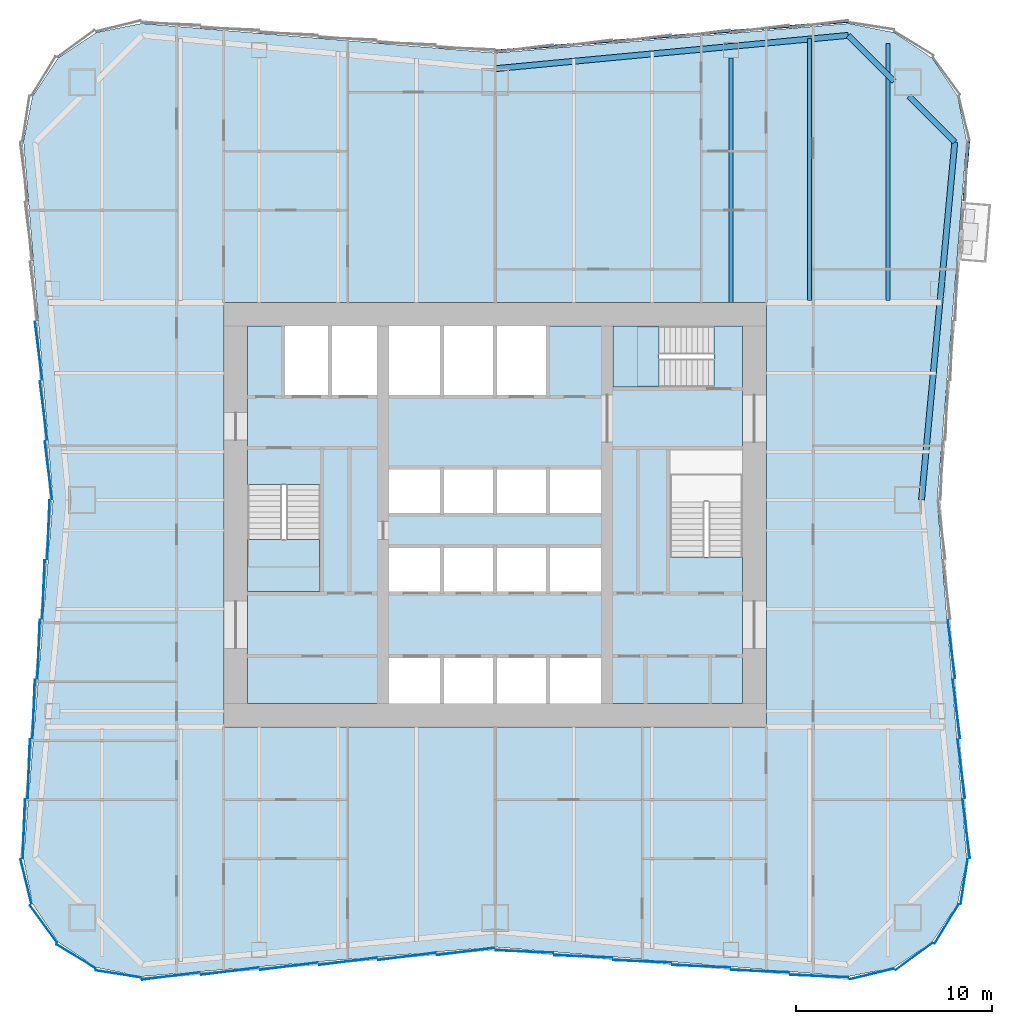
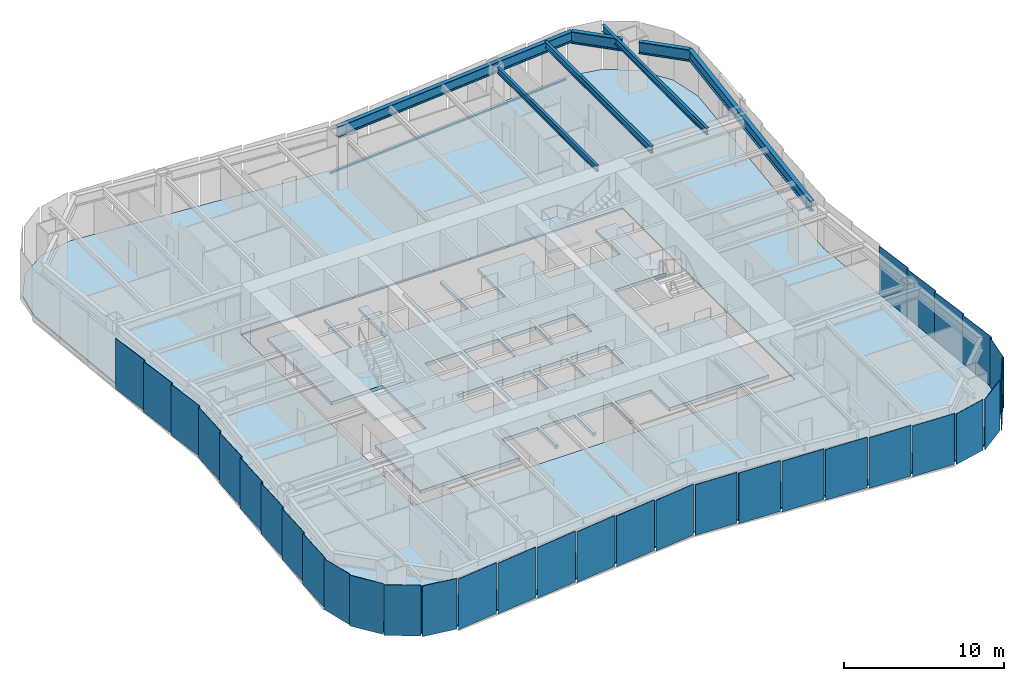
# One storey, part 2 of 9: 33 plates, 7 beams, 4 slabs, 2 members, 8 elements without a shape of their own.
"""IFC4 building model written with IfcOpenShell, lengths in metres."""

from ifc_helpers import new_model, si_unit, direction, frame, origin, origin_2d, place, context, subcontext, project, spatial, polyline, rectangle, i_section, outline, extrude, material, layer, layer_set, material_profile, profile_set, type_object, element, aggregate, save


model = new_model("IFC4")

# Units and contexts
model_context = context("Model", 3, precision=1e-05, world=origin(), true_north=direction((0.0, 1.0)))
body_context = subcontext(model_context, "Body", "Model", "MODEL_VIEW")
ifc_project = project(units=[si_unit("LENGTHUNIT", "METRE"), si_unit("AREAUNIT", "SQUARE_METRE"), si_unit("VOLUMEUNIT", "CUBIC_METRE"), si_unit("PLANEANGLEUNIT", "RADIAN"), si_unit("MASSUNIT", "GRAM", prefix="KILO")], contexts=[model_context])

# Site, building, storey
site_placement = place(None, origin())
site = spatial("IfcSite", under=ifc_project, at=site_placement, CompositionType="ELEMENT")
building_placement = place(site_placement, origin())
building = spatial("IfcBuilding", under=site, at=building_placement, Name="Verdant Reach Tower", CompositionType="ELEMENT")
storey_placement = place(building_placement, frame((0.0, 0.0, 98.0)))
storey = spatial("IfcBuildingStorey", under=building, at=storey_placement, Name="L22", CompositionType="ELEMENT", Elevation=98.0)

# Curtain wall, member
ifc_material_1 = material(Name="Anodised aluminium", Category="aluminium")
curtain_wall_type = type_object("IfcCurtainWallType", Name="EN-CW SYSTEM Z1", PredefinedType="NOTDEFINED", material=ifc_material_1)
curtain_wall_1_placement = place(storey_placement, origin())
curtain_wall_1 = element("IfcCurtainWall", 1, at=curtain_wall_1_placement, inside=storey, type_object=curtain_wall_type, Name="Curtain wall east, L22", PredefinedType="NOTDEFINED")
ifc_material_profile_1 = material_profile(ifc_material_1, rectangle(XDim=0.10009765625, YDim=0.1220703125, at=origin_2d()), Name="Transom 122x100")
ifc_profile_set_1 = profile_set([ifc_material_profile_1], Name="Anodised aluminium")
member_type = type_object("IfcMemberType", Name="EN-TRANSOM Z1", PredefinedType="USERDEFINED", material=ifc_profile_set_1)
member_1_placement = place(storey_placement, frame((23.855224609375, 43.980712890625, -0.2890625), z_axis=(0.081586055135, 0.996666301029, 0.0), x_axis=(-0.996666301029, 0.081586055135, 0.0)))
member_1 = element("IfcMember", 2, at=member_1_placement, type_object=member_type, Name="Transom east face part 2 2.1, L22", ObjectType="TRANSOM", PredefinedType="USERDEFINED", context=body_context, shape_type="SweptSolid", body=[
    extrude(rectangle(XDim=0.10009765625, YDim=0.1220703125, at=origin_2d()), origin(), (0.0, 0.0, 1.0), 3.00439453125),
])

curtain_wall_2_placement = place(storey_placement, origin())
curtain_wall_2 = element("IfcCurtainWall", 3, at=curtain_wall_2_placement, inside=storey, type_object=curtain_wall_type, Name="Curtain wall north, L22", PredefinedType="NOTDEFINED")
member_2_placement = place(storey_placement, frame((17.974853515625, 53.100341796875, -0.2890625), z_axis=(-0.996547815143, -0.083020793384, 0.0), x_axis=(0.083020793384, -0.996547815143, 0.0)))
member_2 = element("IfcMember", 4, at=member_2_placement, type_object=member_type, Name="Transom north face part 1 1.1, L22", ObjectType="TRANSOM", PredefinedType="USERDEFINED", context=body_context, shape_type="SweptSolid", body=[
    extrude(rectangle(XDim=0.10009765625, YDim=0.1220703125, at=origin_2d()), origin(), (0.0, 0.0, 1.0), 18.006103515625),
])
aggregate(curtain_wall_2, [member_2])

# Beams
ifc_material_2 = material(Name="Steel S355", Category="steel")
ifc_material_profile_2 = material_profile(ifc_material_2, i_section(OverallWidth=0.18994140625, OverallDepth=0.449951171875, WebThickness=0.009521484375, FlangeThickness=0.0146484375, FilletRadius=0.02099609375, at=origin_2d()), Name="IPE 450")
ifc_profile_set_2 = profile_set([ifc_material_profile_2], Name="Steel S355")
beam_type_1 = type_object("IfcBeamType", Name="ST-JOIST-IPE450", PredefinedType="JOIST", material=ifc_profile_set_2)
beam_1_placement = place(storey_placement, frame((12.0, 38.800048828125, 3.64501953125), z_axis=(0.0, 1.0, 0.0), x_axis=(-1.0, 0.0, 0.0)))
element("IfcBeam", 5, at=beam_1_placement, inside=storey, type_object=beam_type_1, Name="Floor joist, L22", PredefinedType="JOIST", context=body_context, shape_type="SweptSolid", body=[
    extrude(i_section(OverallWidth=0.18994140625, OverallDepth=0.449951171875, WebThickness=0.009521484375, FlangeThickness=0.0146484375, FilletRadius=0.02099609375, at=origin_2d()), origin(), (0.0, 0.0, 1.0), 12.449951171875),
])
ifc_material_profile_3 = material_profile(ifc_material_2, i_section(OverallWidth=0.199951171875, OverallDepth=0.5, WebThickness=0.01025390625, FlangeThickness=0.01611328125, FilletRadius=0.02099609375, at=origin_2d()), Name="IPE 500")
ifc_profile_set_3 = profile_set([ifc_material_profile_3], Name="Steel S355")
beam_type_2 = type_object("IfcBeamType", Name="ST-JOIST-IPE500", PredefinedType="JOIST", material=ifc_profile_set_3)
beam_2_placement = place(storey_placement, frame((16.0, 38.89990234375, 3.6201171875), z_axis=(0.0, 1.0, 0.0), x_axis=(-1.0, 0.0, 0.0)))
element("IfcBeam", 6, at=beam_2_placement, inside=storey, type_object=beam_type_2, Name="Floor joist, L22", PredefinedType="JOIST", context=body_context, shape_type="SweptSolid", body=[
    extrude(i_section(OverallWidth=0.199951171875, OverallDepth=0.5, WebThickness=0.01025390625, FlangeThickness=0.01611328125, FilletRadius=0.02099609375, at=origin_2d()), origin(), (0.0, 0.0, 1.0), 13.331298828125),
])
beam_3_placement = place(storey_placement, frame((20.0, 38.89990234375, 3.6201171875), z_axis=(0.0, 1.0, 0.0), x_axis=(-1.0, 0.0, 0.0)))
element("IfcBeam", 7, at=beam_3_placement, inside=storey, type_object=beam_type_2, Name="Floor joist, L22", PredefinedType="JOIST", context=body_context, shape_type="SweptSolid", body=[
    extrude(i_section(OverallWidth=0.199951171875, OverallDepth=0.5, WebThickness=0.01025390625, FlangeThickness=0.01611328125, FilletRadius=0.02099609375, at=origin_2d()), origin(), (0.0, 0.0, 1.0), 13.090576171875),
])
ifc_material_profile_4 = material_profile(ifc_material_2, i_section(OverallWidth=0.300048828125, OverallDepth=0.800048828125, WebThickness=0.017578125, FlangeThickness=0.032958984375, FilletRadius=0.030029296875, at=origin_2d()), Name="HEB 800")
ifc_profile_set_4 = profile_set([ifc_material_profile_4], Name="Steel S355")
beam_type_3 = type_object("IfcBeamType", Name="ST-SPANDREL-HEB800", PredefinedType="SPANDREL", material=ifc_profile_set_4)
beam_4_placement = place(storey_placement, frame((0.0, 50.699951171875, 3.469970703125), z_axis=(0.995578571765, 0.093932462137, 0.0), x_axis=(-0.093932462137, 0.995578571765, 0.0)))
element("IfcBeam", 8, at=beam_4_placement, inside=storey, type_object=beam_type_3, Name="Edge beam, L22", PredefinedType="SPANDREL", context=body_context, shape_type="SweptSolid", body=[
    extrude(i_section(OverallWidth=0.300048828125, OverallDepth=0.800048828125, WebThickness=0.017578125, FlangeThickness=0.032958984375, FilletRadius=0.030029296875, at=origin_2d()), origin(), (0.0, 0.0, 1.0), 18.045654296875),
])
beam_5_placement = place(storey_placement, frame((23.39501953125, 46.96533203125, 3.469970703125), z_axis=(-0.092656907618, -0.995698095544, 0.0), x_axis=(0.995698095544, -0.092656907618, 0.0)))
element("IfcBeam", 9, at=beam_5_placement, inside=storey, type_object=beam_type_3, Name="Edge beam, L22", PredefinedType="SPANDREL", context=body_context, shape_type="SweptSolid", body=[
    extrude(i_section(OverallWidth=0.300048828125, OverallDepth=0.800048828125, WebThickness=0.017578125, FlangeThickness=0.032958984375, FilletRadius=0.030029296875, at=origin_2d()), origin(), (0.0, 0.0, 1.0), 18.2939453125),
])
ifc_material_profile_5 = material_profile(ifc_material_2, i_section(OverallWidth=0.302001953125, OverallDepth=0.909912109375, WebThickness=0.02099609375, FlangeThickness=0.0400390625, FilletRadius=0.030029296875, at=origin_2d()), Name="HEM 900")
ifc_profile_set_5 = profile_set([ifc_material_profile_5], Name="Steel S355")
beam_type_4 = type_object("IfcBeamType", Name="ST-SPANDREL-HEM900", PredefinedType="SPANDREL", material=ifc_profile_set_5)
beam_6_placement = place(storey_placement, frame((17.9658203125, 52.39501953125, 3.4150390625), z_axis=(0.707106781187, -0.707106781187, 0.0), x_axis=(0.707106781187, 0.707106781187, 0.0)))
element("IfcBeam", 10, at=beam_6_placement, inside=storey, type_object=beam_type_4, Name="Edge beam, L22", PredefinedType="SPANDREL", context=body_context, shape_type="SweptSolid", body=[
    extrude(i_section(OverallWidth=0.302001953125, OverallDepth=0.909912109375, WebThickness=0.02099609375, FlangeThickness=0.0400390625, FilletRadius=0.030029296875, at=origin_2d()), origin(), (0.0, 0.0, 1.0), 3.301025390625),
])
beam_7_placement = place(storey_placement, frame((21.060546875, 49.300048828125, 3.4150390625), z_axis=(0.707069807316, -0.707143753123, 0.0), x_axis=(0.707143753123, 0.707069807316, 0.0)))
element("IfcBeam", 11, at=beam_7_placement, inside=storey, type_object=beam_type_4, Name="Edge beam, L22", PredefinedType="SPANDREL", context=body_context, shape_type="SweptSolid", body=[
    extrude(i_section(OverallWidth=0.302001953125, OverallDepth=0.909912109375, WebThickness=0.02099609375, FlangeThickness=0.0400390625, FilletRadius=0.030029296875, at=origin_2d()), origin(), (0.0, 0.0, 1.0), 3.301513671875),
])

# Stair, slab
ifc_material_3 = material(Name="Concrete C40/50", Category="concrete")
stair_type = type_object("IfcStairType", Name="CO-STAIR", PredefinedType="HALF_TURN_STAIR", material=ifc_material_3)
stair_1_placement = place(storey_placement, origin())
stair_1 = element("IfcStair", 12, at=stair_1_placement, inside=storey, type_object=stair_type, Name="L22 Exit stair 1", PredefinedType="HALF_TURN_STAIR")
ifc_layer_1 = layer(ifc_material_3, 0.199951171875)
ifc_layer_set_1 = layer_set([ifc_layer_1], Name="CO-STAIR-LANDING")
slab_type_1 = type_object("IfcSlabType", Name="CO-STAIR-LANDING", PredefinedType="LANDING", material=ifc_layer_set_1)
slab_1_placement = place(storey_placement, frame((0.0, 0.0, 1.800048828125)))
slab_1 = element("IfcSlab", 13, at=slab_1_placement, type_object=slab_type_1, Name="ST-1 landing 1", PredefinedType="LANDING", context=body_context, shape_type="SweptSolid", body=[
    extrude(outline(polyline([(-12.60009765625, 26.75), (-12.60009765625, 24.10009765625), (-8.89990234375, 24.10009765625), (-8.89990234375, 26.75), (-12.60009765625, 26.75)])), origin(), (0.0, 0.0, 1.0), 0.199951171875),
])
aggregate(stair_1, [slab_1])

stair_2_placement = place(storey_placement, origin())
stair_2 = element("IfcStair", 14, at=stair_2_placement, inside=storey, type_object=stair_type, Name="L22 Exit stair 3", PredefinedType="HALF_TURN_STAIR")
slab_2_placement = place(storey_placement, frame((0.0, 0.0, 1.800048828125)))
slab_2 = element("IfcSlab", 15, at=slab_2_placement, type_object=slab_type_1, Name="ST-3 landing 1", PredefinedType="LANDING", context=body_context, shape_type="SweptSolid", body=[
    extrude(outline(polyline([(8.35009765625, 37.60009765625), (6.0, 37.60009765625), (6.0, 34.5), (8.35009765625, 34.5), (8.35009765625, 37.60009765625)])), origin(), (0.0, 0.0, 1.0), 0.199951171875),
])
aggregate(stair_2, [slab_2])

# Plate
ifc_material_4 = material(Name="Tinted glass with champagne spandrel", Category="glass")
ifc_layer_2 = layer(ifc_material_4, 0.031982421875)
ifc_layer_set_2 = layer_set([ifc_layer_2], Name="EN-PANEL CHAMPAGNE")
plate_type_1 = type_object("IfcPlateType", Name="EN-PANEL CHAMPAGNE", PredefinedType="CURTAIN_PANEL", material=ifc_layer_set_2)
plate_1_placement = place(storey_placement, frame((23.2275390625, 21.154296875, -0.22802734375), z_axis=(0.0, 0.0, 1.0), x_axis=(-0.123578623975, 0.992334784081, 0.0)))
plate_1 = element("IfcPlate", 16, at=plate_1_placement, type_object=plate_type_1, Name="Glass panel east face part 1 4.1, L22", PredefinedType="CURTAIN_PANEL", context=body_context, shape_type="SweptSolid", body=[
    extrude(rectangle(XDim=2.993896484375, YDim=0.031982421875, at=origin_2d()), origin(), (0.0, 0.0, 1.0), 3.8779296875),
])

# Curtain wall, plates
curtain_wall_3_placement = place(storey_placement, origin())
curtain_wall_3 = element("IfcCurtainWall", 17, at=curtain_wall_3_placement, inside=storey, type_object=curtain_wall_type, Name="Curtain wall west, L22", PredefinedType="NOTDEFINED")
plate_2_placement = place(storey_placement, frame((-22.9775390625, 24.196044921875, -0.22802734375), z_axis=(0.0, 0.0, 1.0), x_axis=(-0.040108781752, -0.999195319057, 0.0)))
plate_2 = element("IfcPlate", 18, at=plate_2_placement, type_object=plate_type_1, Name="Glass panel west face part 2 2.1, L22", PredefinedType="CURTAIN_PANEL", context=body_context, shape_type="SweptSolid", body=[
    extrude(rectangle(XDim=2.993896484375, YDim=0.031982421875, at=origin_2d()), origin(), (0.0, 0.0, 1.0), 3.8779296875),
])
plate_3_placement = place(storey_placement, frame((-23.2275390625, 21.154296875, -0.22802734375), z_axis=(0.0, 0.0, 1.0), x_axis=(-0.040108781752, -0.999195319057, 0.0)))
plate_3 = element("IfcPlate", 19, at=plate_3_placement, type_object=plate_type_1, Name="Glass panel west face part 2 3.1, L22", PredefinedType="CURTAIN_PANEL", context=body_context, shape_type="SweptSolid", body=[
    extrude(rectangle(XDim=2.993896484375, YDim=0.031982421875, at=origin_2d()), origin(), (0.0, 0.0, 1.0), 3.8779296875),
])
plate_4_placement = place(storey_placement, frame((-23.4775390625, 18.112548828125, -0.22802734375), z_axis=(0.0, 0.0, 1.0), x_axis=(-0.040108781752, -0.999195319057, 0.0)))
plate_4 = element("IfcPlate", 20, at=plate_4_placement, type_object=plate_type_1, Name="Glass panel west face part 2 4.1, L22", PredefinedType="CURTAIN_PANEL", context=body_context, shape_type="SweptSolid", body=[
    extrude(rectangle(XDim=2.993896484375, YDim=0.031982421875, at=origin_2d()), origin(), (0.0, 0.0, 1.0), 3.8779296875),
])

curtain_wall_4_placement = place(storey_placement, origin())
curtain_wall_4 = element("IfcCurtainWall", 21, at=curtain_wall_4_placement, inside=storey, type_object=curtain_wall_type, Name="Curtain wall south-west corner, L22", PredefinedType="NOTDEFINED")
plate_5_placement = place(storey_placement, frame((-23.87060546875, 9.329345703125, -0.22802734375), z_axis=(0.0, 0.0, 1.0), x_axis=(0.236383344544, -0.971659875894, 0.0)))
plate_5 = element("IfcPlate", 22, at=plate_5_placement, type_object=plate_type_1, Name="Glass panel south-west corner 1.1, L22", PredefinedType="CURTAIN_PANEL", context=body_context, shape_type="SweptSolid", body=[
    extrude(rectangle(XDim=2.3173828125, YDim=0.031982421875, at=origin_2d()), origin(), (0.0, 0.0, 1.0), 3.8779296875),
])
plate_6_placement = place(storey_placement, frame((-22.97705078125, 7.174560546875, -0.22802734375), z_axis=(0.0, 0.0, 1.0), x_axis=(0.589926768145, -0.807456753161, 0.0)))
plate_6 = element("IfcPlate", 23, at=plate_6_placement, type_object=plate_type_1, Name="Glass panel south-west corner 2.1, L22", PredefinedType="CURTAIN_PANEL", context=body_context, shape_type="SweptSolid", body=[
    extrude(rectangle(XDim=2.3232421875, YDim=0.031982421875, at=origin_2d()), origin(), (0.0, 0.0, 1.0), 3.8779296875),
])

curtain_wall_5_placement = place(storey_placement, origin())
curtain_wall_5 = element("IfcCurtainWall", 24, at=curtain_wall_5_placement, inside=storey, type_object=curtain_wall_type, Name="Curtain wall south, L22", PredefinedType="NOTDEFINED")
plate_7_placement = place(storey_placement, frame((-1.49560546875, 5.772216796875, -0.22802734375), z_axis=(0.0, 0.0, 1.0), x_axis=(0.992179247355, 0.124821236644, 0.0)))
plate_7 = element("IfcPlate", 25, at=plate_7_placement, type_object=plate_type_1, Name="Glass panel south face part 1 6.1, L22", PredefinedType="CURTAIN_PANEL", context=body_context, shape_type="SweptSolid", body=[
    extrude(rectangle(XDim=2.94384765625, YDim=0.031982421875, at=origin_2d()), origin(), (0.0, 0.0, 1.0), 3.8779296875),
])
plate_8_placement = place(storey_placement, frame((1.49560546875, 5.772216796875, -0.22802734375), z_axis=(0.0, 0.0, 1.0), x_axis=(0.99914430697, -0.041360051381, 0.0)))
plate_8 = element("IfcPlate", 26, at=plate_8_placement, type_object=plate_type_1, Name="Glass panel south face part 2 1.1, L22", PredefinedType="CURTAIN_PANEL", context=body_context, shape_type="SweptSolid", body=[
    extrude(rectangle(XDim=2.94384765625, YDim=0.031982421875, at=origin_2d()), origin(), (0.0, 0.0, 1.0), 3.8779296875),
])

curtain_wall_6_placement = place(storey_placement, origin())
curtain_wall_6 = element("IfcCurtainWall", 27, at=curtain_wall_6_placement, inside=storey, type_object=curtain_wall_type, Name="Curtain wall south-east corner, L22", PredefinedType="NOTDEFINED")
ifc_material_5 = material(Name="Tinted glass with copper spandrel", Category="glass")
ifc_layer_3 = layer(ifc_material_5, 0.031982421875)
ifc_layer_set_3 = layer_set([ifc_layer_3], Name="EN-PANEL COPPER")
plate_type_2 = type_object("IfcPlateType", Name="EN-PANEL COPPER", PredefinedType="CURTAIN_PANEL", material=ifc_layer_set_3)
plate_9_placement = place(storey_placement, frame((19.170654296875, 4.62939453125, -0.22802734375), z_axis=(0.0, 0.0, 1.0), x_axis=(0.971660685934, 0.236380014828, 0.0)))
plate_9 = element("IfcPlate", 28, at=plate_9_placement, type_object=plate_type_2, Name="Glass panel south-east corner 1.1, L22", PredefinedType="CURTAIN_PANEL", context=body_context, shape_type="SweptSolid", body=[
    extrude(rectangle(XDim=2.317626953125, YDim=0.031982421875, at=origin_2d()), origin(), (0.0, 0.0, 1.0), 3.8779296875),
])
plate_10_placement = place(storey_placement, frame((21.325439453125, 5.52294921875, -0.22802734375), z_axis=(0.0, 0.0, 1.0), x_axis=(0.807456753161, 0.589926768145, 0.0)))
plate_10 = element("IfcPlate", 29, at=plate_10_placement, type_object=plate_type_2, Name="Glass panel south-east corner 2.1, L22", PredefinedType="CURTAIN_PANEL", context=body_context, shape_type="SweptSolid", body=[
    extrude(rectangle(XDim=2.3232421875, YDim=0.031982421875, at=origin_2d()), origin(), (0.0, 0.0, 1.0), 3.8779296875),
])

# Plate
plate_11_placement = place(storey_placement, frame((23.977783203125, 12.022216796875, -0.22802734375), z_axis=(0.0, 0.0, 1.0), x_axis=(-0.123256305275, 0.992374870304, 0.0)))
plate_11 = element("IfcPlate", 30, at=plate_11_placement, type_object=plate_type_2, Name="Glass panel east face part 1 1.1, L22", PredefinedType="CURTAIN_PANEL", context=body_context, shape_type="SweptSolid", body=[
    extrude(rectangle(XDim=3.00830078125, YDim=0.031982421875, at=origin_2d()), origin(), (0.0, 0.0, 1.0), 3.8779296875),
])

plate_12_placement = place(storey_placement, frame((-23.2275390625, 36.345703125, -0.22802734375), z_axis=(0.0, 0.0, 1.0), x_axis=(0.123578623975, -0.992334784081, 0.0)))
plate_12 = element("IfcPlate", 31, at=plate_12_placement, type_object=plate_type_2, Name="Glass panel west face part 1 4.1, L22", PredefinedType="CURTAIN_PANEL", context=body_context, shape_type="SweptSolid", body=[
    extrude(rectangle(XDim=2.993896484375, YDim=0.031982421875, at=origin_2d()), origin(), (0.0, 0.0, 1.0), 3.8779296875),
])

plate_13_placement = place(storey_placement, frame((-22.9775390625, 33.303955078125, -0.22802734375), z_axis=(0.0, 0.0, 1.0), x_axis=(0.123578623975, -0.992334784081, 0.0)))
plate_13 = element("IfcPlate", 32, at=plate_13_placement, type_object=plate_type_2, Name="Glass panel west face part 1 5.1, L22", PredefinedType="CURTAIN_PANEL", context=body_context, shape_type="SweptSolid", body=[
    extrude(rectangle(XDim=2.993896484375, YDim=0.031982421875, at=origin_2d()), origin(), (0.0, 0.0, 1.0), 3.8779296875),
])

plate_14_placement = place(storey_placement, frame((-23.7275390625, 15.071044921875, -0.22802734375), z_axis=(0.0, 0.0, 1.0), x_axis=(-0.040108781752, -0.999195319057, 0.0)))
plate_14 = element("IfcPlate", 33, at=plate_14_placement, type_object=plate_type_2, Name="Glass panel west face part 2 5.1, L22", PredefinedType="CURTAIN_PANEL", context=body_context, shape_type="SweptSolid", body=[
    extrude(rectangle(XDim=2.993896484375, YDim=0.031982421875, at=origin_2d()), origin(), (0.0, 0.0, 1.0), 3.8779296875),
])

plate_15_placement = place(storey_placement, frame((-23.977783203125, 12.022216796875, -0.22802734375), z_axis=(0.0, 0.0, 1.0), x_axis=(-0.039784239139, -0.999208293759, 0.0)))
plate_15 = element("IfcPlate", 34, at=plate_15_placement, type_object=plate_type_2, Name="Glass panel west face part 2 6.1, L22", PredefinedType="CURTAIN_PANEL", context=body_context, shape_type="SweptSolid", body=[
    extrude(rectangle(XDim=3.00830078125, YDim=0.031982421875, at=origin_2d()), origin(), (0.0, 0.0, 1.0), 3.8779296875),
])

plate_16_placement = place(storey_placement, frame((-21.325439453125, 5.52294921875, -0.22802734375), z_axis=(0.0, 0.0, 1.0), x_axis=(0.85398868836, -0.520291572248, 0.0)))
plate_16 = element("IfcPlate", 35, at=plate_16_placement, type_object=plate_type_2, Name="Glass panel south-west corner 3.1, L22", PredefinedType="CURTAIN_PANEL", context=body_context, shape_type="SweptSolid", body=[
    extrude(rectangle(XDim=2.3232421875, YDim=0.031982421875, at=origin_2d()), origin(), (0.0, 0.0, 1.0), 3.8779296875),
])

plate_17_placement = place(storey_placement, frame((-19.170654296875, 4.62939453125, -0.22802734375), z_axis=(0.0, 0.0, 1.0), x_axis=(0.988032704995, -0.154244526195, 0.0)))
plate_17 = element("IfcPlate", 36, at=plate_17_placement, type_object=plate_type_2, Name="Glass panel south-west corner 4.1, L22", PredefinedType="CURTAIN_PANEL", context=body_context, shape_type="SweptSolid", body=[
    extrude(rectangle(XDim=2.317626953125, YDim=0.031982421875, at=origin_2d()), origin(), (0.0, 0.0, 1.0), 3.8779296875),
])

aggregate(curtain_wall_4, [plate_5, plate_6, plate_16, plate_17])

plate_18_placement = place(storey_placement, frame((-16.49853515625, 4.522216796875, -0.22802734375), z_axis=(0.0, 0.0, 1.0), x_axis=(0.99223537376, 0.124374286167, 0.0)))
plate_18 = element("IfcPlate", 37, at=plate_18_placement, type_object=plate_type_2, Name="Glass panel south face part 1 1.1, L22", PredefinedType="CURTAIN_PANEL", context=body_context, shape_type="SweptSolid", body=[
    extrude(rectangle(XDim=2.966796875, YDim=0.031982421875, at=origin_2d()), origin(), (0.0, 0.0, 1.0), 3.8779296875),
])

plate_19_placement = place(storey_placement, frame((-13.491455078125, 4.7724609375, -0.22802734375), z_axis=(0.0, 0.0, 1.0), x_axis=(0.992194034542, 0.124703639961, 0.0)))
plate_19 = element("IfcPlate", 38, at=plate_19_placement, type_object=plate_type_2, Name="Glass panel south face part 1 2.1, L22", PredefinedType="CURTAIN_PANEL", context=body_context, shape_type="SweptSolid", body=[
    extrude(rectangle(XDim=2.952392578125, YDim=0.031982421875, at=origin_2d()), origin(), (0.0, 0.0, 1.0), 3.8779296875),
])

plate_20_placement = place(storey_placement, frame((4.491455078125, 5.5224609375, -0.22802734375), z_axis=(0.0, 0.0, 1.0), x_axis=(0.999149202059, -0.041241629766, 0.0)))
plate_20 = element("IfcPlate", 39, at=plate_20_placement, type_object=plate_type_2, Name="Glass panel south face part 2 2.1, L22", PredefinedType="CURTAIN_PANEL", context=body_context, shape_type="SweptSolid", body=[
    extrude(rectangle(XDim=2.952392578125, YDim=0.031982421875, at=origin_2d()), origin(), (0.0, 0.0, 1.0), 3.8779296875),
])

plate_21_placement = place(storey_placement, frame((7.491455078125, 5.2724609375, -0.22802734375), z_axis=(0.0, 0.0, 1.0), x_axis=(0.999149202059, -0.041241629766, 0.0)))
plate_21 = element("IfcPlate", 40, at=plate_21_placement, type_object=plate_type_2, Name="Glass panel south face part 2 3.1, L22", PredefinedType="CURTAIN_PANEL", context=body_context, shape_type="SweptSolid", body=[
    extrude(rectangle(XDim=2.952392578125, YDim=0.031982421875, at=origin_2d()), origin(), (0.0, 0.0, 1.0), 3.8779296875),
])

plate_22_placement = place(storey_placement, frame((10.491455078125, 5.0224609375, -0.22802734375), z_axis=(0.0, 0.0, 1.0), x_axis=(0.999149202059, -0.041241629766, 0.0)))
plate_22 = element("IfcPlate", 41, at=plate_22_placement, type_object=plate_type_2, Name="Glass panel south face part 2 4.1, L22", PredefinedType="CURTAIN_PANEL", context=body_context, shape_type="SweptSolid", body=[
    extrude(rectangle(XDim=2.952392578125, YDim=0.031982421875, at=origin_2d()), origin(), (0.0, 0.0, 1.0), 3.8779296875),
])

ifc_material_6 = material(Name="Tinted glass with dark bronze spandrel", Category="glass")
ifc_layer_4 = layer(ifc_material_6, 0.031982421875)
ifc_layer_set_4 = layer_set([ifc_layer_4], Name="EN-PANEL DARK")
plate_type_3 = type_object("IfcPlateType", Name="EN-PANEL DARK", PredefinedType="CURTAIN_PANEL", material=ifc_layer_set_4)
plate_23_placement = place(storey_placement, frame((22.97705078125, 7.174560546875, -0.22802734375), z_axis=(0.0, 0.0, 1.0), x_axis=(0.520291572248, 0.85398868836, 0.0)))
plate_23 = element("IfcPlate", 42, at=plate_23_placement, type_object=plate_type_3, Name="Glass panel south-east corner 3.1, L22", PredefinedType="CURTAIN_PANEL", context=body_context, shape_type="SweptSolid", body=[
    extrude(rectangle(XDim=2.3232421875, YDim=0.031982421875, at=origin_2d()), origin(), (0.0, 0.0, 1.0), 3.8779296875),
])

plate_24_placement = place(storey_placement, frame((23.87060546875, 9.329345703125, -0.22802734375), z_axis=(0.0, 0.0, 1.0), x_axis=(0.154247912016, 0.988032176419, 0.0)))
plate_24 = element("IfcPlate", 43, at=plate_24_placement, type_object=plate_type_3, Name="Glass panel south-east corner 4.1, L22", PredefinedType="CURTAIN_PANEL", context=body_context, shape_type="SweptSolid", body=[
    extrude(rectangle(XDim=2.3173828125, YDim=0.031982421875, at=origin_2d()), origin(), (0.0, 0.0, 1.0), 3.8779296875),
])

aggregate(curtain_wall_6, [plate_9, plate_10, plate_23, plate_24])

plate_25_placement = place(storey_placement, frame((23.7275390625, 15.071044921875, -0.22802734375), z_axis=(0.0, 0.0, 1.0), x_axis=(-0.123578623975, 0.992334784081, 0.0)))
plate_25 = element("IfcPlate", 44, at=plate_25_placement, type_object=plate_type_3, Name="Glass panel east face part 1 2.1, L22", PredefinedType="CURTAIN_PANEL", context=body_context, shape_type="SweptSolid", body=[
    extrude(rectangle(XDim=2.993896484375, YDim=0.031982421875, at=origin_2d()), origin(), (0.0, 0.0, 1.0), 3.8779296875),
])

plate_26_placement = place(storey_placement, frame((23.4775390625, 18.112548828125, -0.22802734375), z_axis=(0.0, 0.0, 1.0), x_axis=(-0.123578623975, 0.992334784081, 0.0)))
plate_26 = element("IfcPlate", 45, at=plate_26_placement, type_object=plate_type_3, Name="Glass panel east face part 1 3.1, L22", PredefinedType="CURTAIN_PANEL", context=body_context, shape_type="SweptSolid", body=[
    extrude(rectangle(XDim=2.993896484375, YDim=0.031982421875, at=origin_2d()), origin(), (0.0, 0.0, 1.0), 3.8779296875),
])

aggregate(curtain_wall_1, [plate_11, plate_25, plate_26, plate_1, member_1])

plate_27_placement = place(storey_placement, frame((-22.727783203125, 30.2666015625, -0.22802734375), z_axis=(0.0, 0.0, 1.0), x_axis=(0.123691487663, -0.992320722287, 0.0)))
plate_27 = element("IfcPlate", 46, at=plate_27_placement, type_object=plate_type_3, Name="Glass panel west face part 1 6.1, L22", PredefinedType="CURTAIN_PANEL", context=body_context, shape_type="SweptSolid", body=[
    extrude(rectangle(XDim=2.985595703125, YDim=0.031982421875, at=origin_2d()), origin(), (0.0, 0.0, 1.0), 3.8779296875),
])

plate_28_placement = place(storey_placement, frame((-22.727783203125, 27.2333984375, -0.22802734375), z_axis=(0.0, 0.0, 1.0), x_axis=(-0.040222426271, -0.99919075077, 0.0)))
plate_28 = element("IfcPlate", 47, at=plate_28_placement, type_object=plate_type_3, Name="Glass panel west face part 2 1.1, L22", PredefinedType="CURTAIN_PANEL", context=body_context, shape_type="SweptSolid", body=[
    extrude(rectangle(XDim=2.985595703125, YDim=0.031982421875, at=origin_2d()), origin(), (0.0, 0.0, 1.0), 3.8779296875),
])

aggregate(curtain_wall_3, [plate_12, plate_13, plate_27, plate_28, plate_2, plate_3, plate_4, plate_14, plate_15])

plate_29_placement = place(storey_placement, frame((-10.491455078125, 5.0224609375, -0.22802734375), z_axis=(0.0, 0.0, 1.0), x_axis=(0.992194034542, 0.124703639961, 0.0)))
plate_29 = element("IfcPlate", 48, at=plate_29_placement, type_object=plate_type_3, Name="Glass panel south face part 1 3.1, L22", PredefinedType="CURTAIN_PANEL", context=body_context, shape_type="SweptSolid", body=[
    extrude(rectangle(XDim=2.952392578125, YDim=0.031982421875, at=origin_2d()), origin(), (0.0, 0.0, 1.0), 3.8779296875),
])

plate_30_placement = place(storey_placement, frame((-7.491455078125, 5.2724609375, -0.22802734375), z_axis=(0.0, 0.0, 1.0), x_axis=(0.992194034542, 0.124703639961, 0.0)))
plate_30 = element("IfcPlate", 49, at=plate_30_placement, type_object=plate_type_3, Name="Glass panel south face part 1 4.1, L22", PredefinedType="CURTAIN_PANEL", context=body_context, shape_type="SweptSolid", body=[
    extrude(rectangle(XDim=2.952392578125, YDim=0.031982421875, at=origin_2d()), origin(), (0.0, 0.0, 1.0), 3.8779296875),
])

plate_31_placement = place(storey_placement, frame((-4.491455078125, 5.5224609375, -0.22802734375), z_axis=(0.0, 0.0, 1.0), x_axis=(0.992194034542, 0.124703639961, 0.0)))
plate_31 = element("IfcPlate", 50, at=plate_31_placement, type_object=plate_type_3, Name="Glass panel south face part 1 5.1, L22", PredefinedType="CURTAIN_PANEL", context=body_context, shape_type="SweptSolid", body=[
    extrude(rectangle(XDim=2.952392578125, YDim=0.031982421875, at=origin_2d()), origin(), (0.0, 0.0, 1.0), 3.8779296875),
])

plate_32_placement = place(storey_placement, frame((13.491455078125, 4.7724609375, -0.22802734375), z_axis=(0.0, 0.0, 1.0), x_axis=(0.999149202059, -0.041241629766, 0.0)))
plate_32 = element("IfcPlate", 51, at=plate_32_placement, type_object=plate_type_3, Name="Glass panel south face part 2 5.1, L22", PredefinedType="CURTAIN_PANEL", context=body_context, shape_type="SweptSolid", body=[
    extrude(rectangle(XDim=2.952392578125, YDim=0.031982421875, at=origin_2d()), origin(), (0.0, 0.0, 1.0), 3.8779296875),
])

plate_33_placement = place(storey_placement, frame((16.49853515625, 4.522216796875, -0.22802734375), z_axis=(0.0, 0.0, 1.0), x_axis=(0.999162836679, -0.040909971885, 0.0)))
plate_33 = element("IfcPlate", 52, at=plate_33_placement, type_object=plate_type_3, Name="Glass panel south face part 2 6.1, L22", PredefinedType="CURTAIN_PANEL", context=body_context, shape_type="SweptSolid", body=[
    extrude(rectangle(XDim=2.966796875, YDim=0.031982421875, at=origin_2d()), origin(), (0.0, 0.0, 1.0), 3.8779296875),
])

aggregate(curtain_wall_5, [plate_18, plate_19, plate_29, plate_30, plate_31, plate_7, plate_8, plate_20, plate_21, plate_22, plate_32, plate_33])

# Slabs
ifc_material_7 = material(Name="Concrete C35/45", Category="concrete")
ifc_layer_5 = layer(ifc_material_7, 0.1298828125)
ifc_layer_set_5 = layer_set([ifc_layer_5], Name="ST-SLAB-130")
slab_type_2 = type_object("IfcSlabType", Name="ST-SLAB-130", PredefinedType="FLOOR", material=ifc_layer_set_5)
slab_3_placement = place(storey_placement, frame((0.0, 0.0, -0.1298828125)))
element("IfcSlab", 53, at=slab_3_placement, inside=storey, type_object=slab_type_2, Name="Floor slab L22", PredefinedType="FLOOR", context=body_context, shape_type="SweptSolid", body=[
    extrude(outline(polyline([(0.0, 6.0), (-18.0, 4.5), (-20.296142578125, 4.956787109375), (-22.24267578125, 6.25732421875), (-23.543212890625, 8.203857421875), (-24.0, 10.5), (-22.5, 28.75), (-24.0, 47.0), (-23.543212890625, 49.296142578125), (-22.24267578125, 51.24267578125), (-20.296142578125, 52.543212890625), (-18.0, 53.0), (0.0, 51.5), (18.0, 53.0), (20.296142578125, 52.543212890625), (22.24267578125, 51.24267578125), (23.543212890625, 49.296142578125), (24.0, 47.0), (22.5, 28.75), (24.0, 10.5), (23.543212890625, 8.203857421875), (22.24267578125, 6.25732421875), (20.296142578125, 4.956787109375), (18.0, 4.5), (0.0, 6.0)]), holes=[polyline([(13.800048828125, 38.800048828125), (-13.800048828125, 38.800048828125), (-13.800048828125, 17.199951171875), (13.800048828125, 17.199951171875), (13.800048828125, 38.800048828125)])]), origin(), (0.0, 0.0, 1.0), 0.1298828125),
])
ifc_layer_6 = layer(ifc_material_7, 0.25)
ifc_layer_set_6 = layer_set([ifc_layer_6], Name="ST-SLAB-250")
slab_type_3 = type_object("IfcSlabType", Name="ST-SLAB-250", PredefinedType="FLOOR", material=ifc_layer_set_6)
slab_4_placement = place(storey_placement, frame((0.0, 0.0, -0.25)))
element("IfcSlab", 54, at=slab_4_placement, inside=storey, type_object=slab_type_3, Name="Core floor slab L22", PredefinedType="FLOOR", context=body_context, shape_type="SweptSolid", body=[
    extrude(outline(polyline([(12.60009765625, 18.39990234375), (5.39990234375, 18.39990234375), (5.39990234375, 20.699951171875), (2.800048828125, 20.699951171875), (2.800048828125, 18.39990234375), (2.60009765625, 18.39990234375), (2.60009765625, 20.699951171875), (0.10009765625, 20.699951171875), (0.10009765625, 18.39990234375), (-0.10009765625, 18.39990234375), (-0.10009765625, 20.699951171875), (-2.60009765625, 20.699951171875), (-2.60009765625, 18.39990234375), (-2.800048828125, 18.39990234375), (-2.800048828125, 20.699951171875), (-5.39990234375, 20.699951171875), (-5.39990234375, 18.39990234375), (-12.60009765625, 18.39990234375), (-12.60009765625, 24.10009765625), (-8.89990234375, 24.10009765625), (-8.89990234375, 29.548095703125), (-12.60009765625, 29.548095703125), (-12.60009765625, 37.60009765625), (-10.699951171875, 37.60009765625), (-10.699951171875, 34.10009765625), (-8.5, 34.10009765625), (-8.5, 37.60009765625), (-8.300048828125, 37.60009765625), (-8.300048828125, 34.10009765625), (-6.0, 34.10009765625), (-6.0, 37.60009765625), (-5.39990234375, 37.60009765625), (-5.39990234375, 34.10009765625), (-2.800048828125, 34.10009765625), (-2.800048828125, 37.60009765625), (-2.60009765625, 37.60009765625), (-2.60009765625, 34.10009765625), (-0.10009765625, 34.10009765625), (-0.10009765625, 37.60009765625), (0.10009765625, 37.60009765625), (0.10009765625, 34.10009765625), (2.60009765625, 34.10009765625), (2.60009765625, 37.60009765625), (6.0, 37.60009765625), (6.0, 34.5), (11.14794921875, 34.5), (11.14794921875, 37.60009765625), (12.60009765625, 37.60009765625), (12.60009765625, 31.300048828125), (8.89990234375, 31.300048828125), (8.89990234375, 25.85205078125), (12.60009765625, 25.85205078125), (12.60009765625, 18.39990234375)]), holes=[polyline([(-2.800048828125, 24.10009765625), (-2.800048828125, 26.300048828125), (-5.39990234375, 26.300048828125), (-5.39990234375, 24.10009765625), (-2.800048828125, 24.10009765625)]), polyline([(-2.60009765625, 24.10009765625), (-0.10009765625, 24.10009765625), (-0.10009765625, 26.300048828125), (-2.60009765625, 26.300048828125), (-2.60009765625, 24.10009765625)]), polyline([(-2.800048828125, 28.10009765625), (-2.800048828125, 30.300048828125), (-5.39990234375, 30.300048828125), (-5.39990234375, 28.10009765625), (-2.800048828125, 28.10009765625)]), polyline([(-0.10009765625, 28.10009765625), (-0.10009765625, 30.300048828125), (-2.60009765625, 30.300048828125), (-2.60009765625, 28.10009765625), (-0.10009765625, 28.10009765625)]), polyline([(2.60009765625, 24.10009765625), (2.60009765625, 26.300048828125), (0.10009765625, 26.300048828125), (0.10009765625, 24.10009765625), (2.60009765625, 24.10009765625)]), polyline([(2.800048828125, 24.10009765625), (5.39990234375, 24.10009765625), (5.39990234375, 26.300048828125), (2.800048828125, 26.300048828125), (2.800048828125, 24.10009765625)]), polyline([(2.60009765625, 28.10009765625), (2.60009765625, 30.300048828125), (0.10009765625, 30.300048828125), (0.10009765625, 28.10009765625), (2.60009765625, 28.10009765625)]), polyline([(5.39990234375, 28.10009765625), (5.39990234375, 30.300048828125), (2.800048828125, 30.300048828125), (2.800048828125, 28.10009765625), (5.39990234375, 28.10009765625)])]), origin(), (0.0, 0.0, 1.0), 0.25),
])

save(model, "model.ifc")
